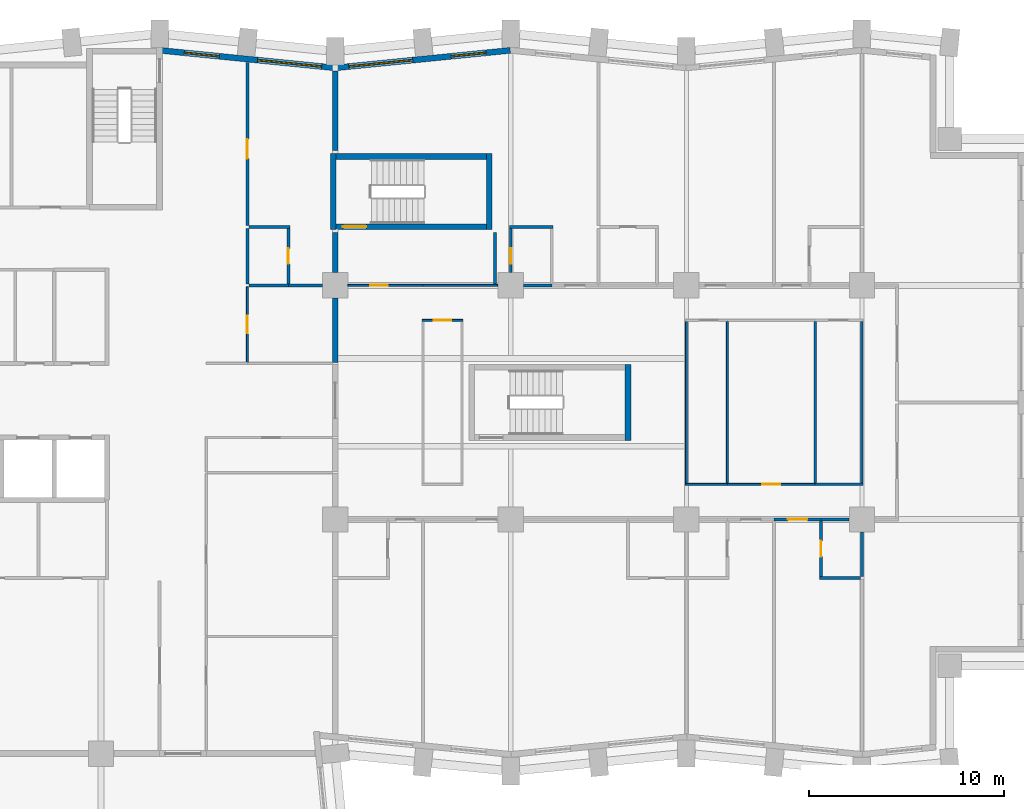
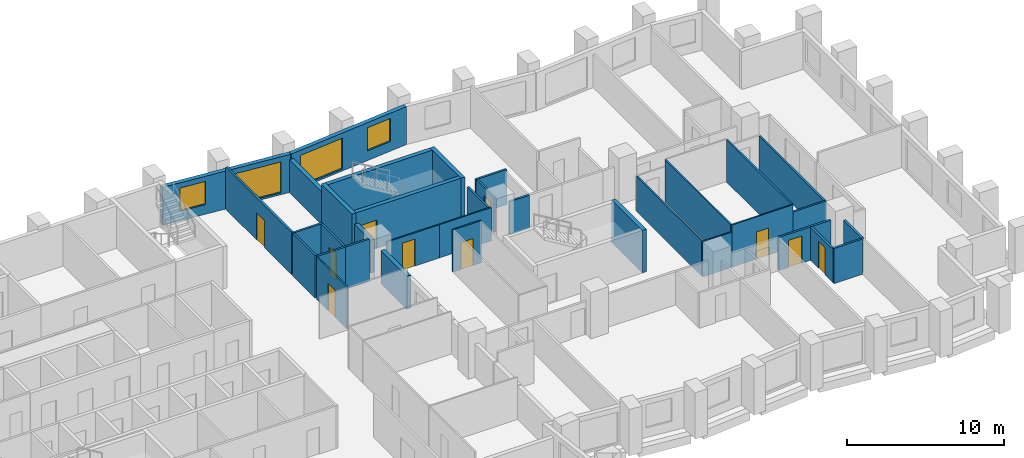
# One storey, part 8 of 12: 36 walls, 10 doors, 4 windows, 14 openings.
"""IFC4 building model written with IfcOpenShell, lengths in metres."""

from ifc_helpers import new_model, si_unit, direction, frame, frame_2d, origin, place, context, subcontext, project, spatial, rectangle, extrude, material, layer, layer_set, type_object, element, fill, save


model = new_model("IFC4")

# Units and contexts
model_context = context("Model", 3, precision=1e-05, world=origin(), true_north=direction((0.0, 1.0)))
body_context = subcontext(model_context, "Body", "Model", "MODEL_VIEW")
ifc_project = project(units=[si_unit("LENGTHUNIT", "METRE"), si_unit("AREAUNIT", "SQUARE_METRE"), si_unit("VOLUMEUNIT", "CUBIC_METRE"), si_unit("PLANEANGLEUNIT", "RADIAN"), si_unit("MASSUNIT", "GRAM", prefix="KILO")], contexts=[model_context])

# Site, building, storey
site_placement = place(None, origin())
site = spatial("IfcSite", under=ifc_project, at=site_placement, CompositionType="ELEMENT")
building_placement = place(site_placement, origin())
building = spatial("IfcBuilding", under=site, at=building_placement, Name="Brondeck Convention Tower", CompositionType="ELEMENT")
storey_placement = place(building_placement, frame((0.0, 0.0, 59.10009765625)))
storey = spatial("IfcBuildingStorey", under=building, at=storey_placement, Name="L12", CompositionType="ELEMENT", Elevation=59.10009765625)

# Walls
ifc_material_1 = material(Name="Concrete compartment wall C30/37", Category="concrete")
ifc_layer_1 = layer(ifc_material_1, 0.300048828125)
ifc_layer_set_1 = layer_set([ifc_layer_1], Name="Compartment wall 300")
wall_type_1 = type_object("IfcWallType", Name="Compartment wall 300", PredefinedType="PARTITIONING", material=ifc_layer_set_1)
wall_1_placement = place(storey_placement, frame((36.0, 50.344970703125, 0.0), z_axis=(0.0, 0.0, 1.0), x_axis=(0.0, -1.0, 0.0)))
element("IfcWall", 1, at=wall_1_placement, inside=storey, type_object=wall_type_1, Name="FLR-L12-W098", PredefinedType="PARTITIONING", context=body_context, shape_type="SweptSolid", body=[
    extrude(rectangle(XDim=3.294921875, YDim=0.300048828125, at=frame_2d((1.6474609375, 0.0))), origin(), (0.0, 0.0, 1.0), 2.579833984375),
])
wall_2_placement = place(storey_placement, frame((36.0, 53.699951171875, 0.0), z_axis=(0.0, 0.0, 1.0), x_axis=(0.0, -1.0, 0.0)))
element("IfcWall", 2, at=wall_2_placement, inside=storey, type_object=wall_type_1, Name="FLR-L12-W116", PredefinedType="PARTITIONING", context=body_context, shape_type="SweptSolid", body=[
    extrude(rectangle(XDim=2.044921875, YDim=0.300048828125, at=frame_2d((1.0224609375, 0.0))), origin(), (0.0, 0.0, 1.0), 2.579833984375),
])
wall_3_placement = place(storey_placement, frame((36.0, 61.97509765625, 0.0), z_axis=(0.0, 0.0, 1.0), x_axis=(0.0, -1.0, 0.0)))
element("IfcWall", 3, at=wall_3_placement, inside=storey, type_object=wall_type_1, Name="FLR-L12-W127", PredefinedType="PARTITIONING", context=body_context, shape_type="SweptSolid", body=[
    extrude(rectangle(XDim=4.0751953125, YDim=0.300048828125, at=frame_2d((2.03759765625, 0.0))), origin(), (0.0, 0.0, 1.0), 2.579833984375),
])

# Wall, openings, windows
ifc_material_2 = material(Name="Precast concrete C50/60 bronze finish", Category="concrete")
ifc_layer_2 = layer(ifc_material_2, 0.070068359375, Name="Bronze precast facing")
ifc_material_3 = material(Name="Mineral wool")
ifc_layer_3 = layer(ifc_material_3, 0.159912109375, Name="Insulation")
ifc_material_4 = material(Name="Concrete C35/45", Category="concrete")
ifc_layer_4 = layer(ifc_material_4, 0.070068359375, Name="Backing")
ifc_layer_set_2 = layer_set([ifc_layer_2, ifc_layer_3, ifc_layer_4], Name="External infill wall, precast concrete C50/60 bronze facing")
wall_type_2 = type_object("IfcWallType", Name="External infill wall, precast concrete C50/60 bronze facing", PredefinedType="SOLIDWALL", material=ifc_layer_set_2)
wall_4_placement = place(storey_placement, frame((35.985107421875, 62.144287109375, 0.0), z_axis=(0.0, 0.0, 1.0), x_axis=(0.995037993253, 0.099495688264, 0.0)))
wall_4 = element("IfcWall", 4, at=wall_4_placement, inside=storey, type_object=wall_type_2, Name="ENV-EW-L12-P0-A-N-09", PredefinedType="SOLIDWALL", context=body_context, shape_type="SweptSolid", body=[
    extrude(rectangle(XDim=9.030029296875, YDim=0.300048828125, at=frame_2d((4.51513671875, 0.0))), origin(), (0.0, 0.0, 1.0), 2.949951171875),
])
opening_1_placement = place(wall_4_placement, frame((0.711181640625, 0.0, 0.14990234375)))
opening_1 = element("IfcOpeningElement", 5, at=opening_1_placement, cuts=wall_4, Name="Opening W9", PredefinedType="OPENING", context=body_context, shape_type="SweptSolid", body=[
    extrude(rectangle(XDim=3.300048828125, YDim=2.39990234375, at=frame_2d((1.64990234375, 1.199951171875))), frame((0.0, 0.159912109375, 0.0), z_axis=(0.0, -1.0, 0.0), x_axis=(1.0, 0.0, 0.0)), (0.0, 0.0, 1.0), 0.320068359375),
])
opening_2_placement = place(wall_4_placement, frame((5.983642578125, 0.0, 0.75)))
opening_2 = element("IfcOpeningElement", 6, at=opening_2_placement, cuts=wall_4, Name="Opening W10", PredefinedType="OPENING", context=body_context, shape_type="SweptSolid", body=[
    extrude(rectangle(XDim=1.800048828125, YDim=1.800048828125, at=frame_2d((0.89990234375, 0.89990234375))), frame((0.0, 0.159912109375, 0.0), z_axis=(0.0, -1.0, 0.0), x_axis=(1.0, 0.0, 0.0)), (0.0, 0.0, 1.0), 0.320068359375),
])
ifc_material_5 = material(Name="Bronze tinted double glazing", Category="glass")
window_type_1 = type_object("IfcWindowType", Name="Glazed flute window, bronze tinted", PartitioningType="SINGLE_PANEL", PredefinedType="WINDOW", material=ifc_material_5)
window_1_placement = place(opening_1_placement, origin())
window_1 = element("IfcWindow", 7, at=window_1_placement, inside=storey, type_object=window_type_1, Name="ENV-WN-L12-P0-A-N-08", OverallHeight=2.39990234375, OverallWidth=3.300048828125, PartitioningType="SINGLE_PANEL", PredefinedType="WINDOW", context=body_context, shape_type="SweptSolid", body=[
    extrude(rectangle(XDim=3.300048828125, YDim=2.39990234375, at=frame_2d((1.64990234375, 1.199951171875))), frame((0.0, 0.030029296875, 0.0), z_axis=(0.0, -1.0, 0.0), x_axis=(1.0, 0.0, 0.0)), (0.0, 0.0, 1.0), 0.06005859375),
])
fill(opening_1, window_1)
window_type_2 = type_object("IfcWindowType", Name="Punched window, bronze tinted", PartitioningType="SINGLE_PANEL", PredefinedType="WINDOW", material=ifc_material_5)
window_2_placement = place(opening_2_placement, origin())
window_2 = element("IfcWindow", 8, at=window_2_placement, inside=storey, type_object=window_type_2, Name="ENV-WN-L12-P0-A-N-09", OverallHeight=1.800048828125, OverallWidth=1.800048828125, PartitioningType="SINGLE_PANEL", PredefinedType="WINDOW", context=body_context, shape_type="SweptSolid", body=[
    extrude(rectangle(XDim=1.800048828125, YDim=1.800048828125, at=frame_2d((0.89990234375, 0.89990234375))), frame((0.0, 0.030029296875, 0.0), z_axis=(0.0, -1.0, 0.0), x_axis=(1.0, 0.0, 0.0)), (0.0, 0.0, 1.0), 0.06005859375),
])
fill(opening_2, window_2)

wall_5_placement = place(storey_placement, frame((27.064697265625, 63.039306640625, 0.0), z_axis=(0.0, 0.0, 1.0), x_axis=(0.995036379926, -0.099511821531, 0.0)))
wall_5 = element("IfcWall", 9, at=wall_5_placement, inside=storey, type_object=wall_type_2, Name="ENV-EW-L12-P0-A-N-07", PredefinedType="SOLIDWALL", context=body_context, shape_type="SweptSolid", body=[
    extrude(rectangle(XDim=8.949951171875, YDim=0.300048828125, at=frame_2d((4.47509765625, 0.0))), origin(), (0.0, 0.0, 1.0), 2.949951171875),
])
opening_3_placement = place(wall_5_placement, frame((1.211181640625, 0.0, 0.75)))
opening_3 = element("IfcOpeningElement", 10, at=opening_3_placement, cuts=wall_5, Name="Opening W10", PredefinedType="OPENING", context=body_context, shape_type="SweptSolid", body=[
    extrude(rectangle(XDim=1.800048828125, YDim=1.800048828125, at=frame_2d((0.89990234375, 0.89990234375))), frame((0.0, 0.159912109375, 0.0), z_axis=(0.0, -1.0, 0.0), x_axis=(1.0, 0.0, 0.0)), (0.0, 0.0, 1.0), 0.320068359375),
])
opening_4_placement = place(wall_5_placement, frame((4.983642578125, 0.0, 0.14990234375)))
opening_4 = element("IfcOpeningElement", 11, at=opening_4_placement, cuts=wall_5, Name="Opening W9", PredefinedType="OPENING", context=body_context, shape_type="SweptSolid", body=[
    extrude(rectangle(XDim=3.300048828125, YDim=2.39990234375, at=frame_2d((1.64990234375, 1.199951171875))), frame((0.0, 0.159912109375, 0.0), z_axis=(0.0, -1.0, 0.0), x_axis=(1.0, 0.0, 0.0)), (0.0, 0.0, 1.0), 0.320068359375),
])
window_3_placement = place(opening_4_placement, origin())
window_3 = element("IfcWindow", 12, at=window_3_placement, inside=storey, type_object=window_type_1, Name="ENV-WN-L12-P0-A-N-07", OverallHeight=2.39990234375, OverallWidth=3.300048828125, PartitioningType="SINGLE_PANEL", PredefinedType="WINDOW", context=body_context, shape_type="SweptSolid", body=[
    extrude(rectangle(XDim=3.300048828125, YDim=2.39990234375, at=frame_2d((1.64990234375, 1.199951171875))), frame((0.0, 0.030029296875, 0.0), z_axis=(0.0, -1.0, 0.0), x_axis=(1.0, 0.0, 0.0)), (0.0, 0.0, 1.0), 0.06005859375),
])
fill(opening_4, window_3)
window_4_placement = place(opening_3_placement, origin())
window_4 = element("IfcWindow", 13, at=window_4_placement, inside=storey, type_object=window_type_2, Name="ENV-WN-L12-P0-A-N-06", OverallHeight=1.800048828125, OverallWidth=1.800048828125, PartitioningType="SINGLE_PANEL", PredefinedType="WINDOW", context=body_context, shape_type="SweptSolid", body=[
    extrude(rectangle(XDim=1.800048828125, YDim=1.800048828125, at=frame_2d((0.89990234375, 0.89990234375))), frame((0.0, 0.030029296875, 0.0), z_axis=(0.0, -1.0, 0.0), x_axis=(1.0, 0.0, 0.0)), (0.0, 0.0, 1.0), 0.06005859375),
])
fill(opening_3, window_4)

# Walls
ifc_material_6 = material(Name="Double gypsum board acoustic wall")
ifc_layer_5 = layer(ifc_material_6, 0.14990234375)
ifc_layer_set_3 = layer_set([ifc_layer_5], Name="Guest room party wall 150")
wall_type_3 = type_object("IfcWallType", Name="Guest room party wall 150", PredefinedType="PARTITIONING", material=ifc_layer_set_3)
wall_6_placement = place(storey_placement, frame((60.824951171875, 36.0, 0.0), z_axis=(0.0, 0.0, 1.0), x_axis=(1.0, 0.0, 0.0)))
element("IfcWall", 14, at=wall_6_placement, inside=storey, type_object=wall_type_3, Name="FLR-L12-W053", PredefinedType="PARTITIONING", context=body_context, shape_type="SweptSolid", body=[
    extrude(rectangle(XDim=2.10009765625, YDim=0.14990234375, at=frame_2d((1.050048828125, 0.0))), origin(), (0.0, 0.0, 1.0), 2.72998046875),
])
wall_7_placement = place(storey_placement, frame((63.0, 38.344970703125, 0.0), z_axis=(0.0, 0.0, 1.0), x_axis=(0.0, -1.0, 0.0)))
element("IfcWall", 15, at=wall_7_placement, inside=storey, type_object=wall_type_3, Name="FLR-L12-W058", PredefinedType="PARTITIONING", context=body_context, shape_type="SweptSolid", body=[
    extrude(rectangle(XDim=2.27001953125, YDim=0.14990234375, at=frame_2d((1.135009765625, 0.0))), origin(), (0.0, 0.0, 1.0), 2.72998046875),
])

# Wall, opening, door
wall_8_placement = place(storey_placement, frame((60.89990234375, 38.925048828125, 0.0), z_axis=(0.0, 0.0, 1.0), x_axis=(0.0, -1.0, 0.0)))
wall_8 = element("IfcWall", 16, at=wall_8_placement, inside=storey, type_object=wall_type_3, Name="FLR-L12-W062", PredefinedType="PARTITIONING", context=body_context, shape_type="SweptSolid", body=[
    extrude(rectangle(XDim=2.85009765625, YDim=0.14990234375, at=frame_2d((1.425048828125, 0.0))), origin(), (0.0, 0.0, 1.0), 2.579833984375),
])
opening_5_placement = place(wall_8_placement, frame((1.02490234375, 0.0, 0.0)))
opening_5 = element("IfcOpeningElement", 17, at=opening_5_placement, cuts=wall_8, Name="Opening H3-015", PredefinedType="OPENING", context=body_context, shape_type="SweptSolid", body=[
    extrude(rectangle(XDim=0.800048828125, YDim=2.10009765625, at=frame_2d((0.39990234375, 1.050048828125))), frame((0.0, 0.0849609375, 0.0), z_axis=(0.0, -1.0, 0.0), x_axis=(1.0, 0.0, 0.0)), (0.0, 0.0, 1.0), 0.169921875),
])
ifc_material_7 = material(Name="Solid timber door leaf", Category="wood")
door_type_1 = type_object("IfcDoorType", Name="En-suite door 800", OperationType="NOTDEFINED", PredefinedType="DOOR", material=ifc_material_7)
door_1_placement = place(opening_5_placement, origin())
door_1 = element("IfcDoor", 18, at=door_1_placement, inside=storey, type_object=door_type_1, Name="Door H3-015", OperationType="SINGLE_SWING_LEFT", OverallHeight=2.10009765625, OverallWidth=0.800048828125, PredefinedType="DOOR", context=body_context, shape_type="SweptSolid", body=[
    extrude(rectangle(XDim=0.800048828125, YDim=2.10009765625, at=frame_2d((0.39990234375, 1.050048828125))), frame((0.0, 0.02490234375, 0.0), z_axis=(0.0, -1.0, 0.0), x_axis=(1.0, 0.0, 0.0)), (0.0, 0.0, 1.0), 0.050048828125),
])
fill(opening_5, door_1)

wall_9_placement = place(storey_placement, frame((60.89990234375, 39.0, 0.0), z_axis=(0.0, 0.0, 1.0), x_axis=(-1.0, 0.0, 0.0)))
wall_9 = element("IfcWall", 19, at=wall_9_placement, inside=storey, type_object=wall_type_3, Name="FLR-L12-W070", PredefinedType="PARTITIONING", context=body_context, shape_type="SweptSolid", body=[
    extrude(rectangle(XDim=2.39990234375, YDim=0.14990234375, at=frame_2d((1.199951171875, 0.0))), origin(), (0.0, 0.0, 1.0), 2.579833984375),
])
opening_6_placement = place(wall_9_placement, frame((0.699951171875, 0.0, 0.0)))
opening_6 = element("IfcOpeningElement", 20, at=opening_6_placement, cuts=wall_9, Name="Opening H3-014", PredefinedType="OPENING", context=body_context, shape_type="SweptSolid", body=[
    extrude(rectangle(XDim=1.0, YDim=2.10009765625, at=frame_2d((0.5, 1.050048828125))), frame((0.0, 0.0849609375, 0.0), z_axis=(0.0, -1.0, 0.0), x_axis=(1.0, 0.0, 0.0)), (0.0, 0.0, 1.0), 0.169921875),
])
ifc_material_8 = material(Name="Solid timber fire door leaf", Category="wood")
door_type_2 = type_object("IfcDoorType", Name="Guest room door 1000", OperationType="NOTDEFINED", PredefinedType="DOOR", material=ifc_material_8)
door_2_placement = place(opening_6_placement, origin())
door_2 = element("IfcDoor", 21, at=door_2_placement, inside=storey, type_object=door_type_2, Name="Door H3-014", OperationType="SINGLE_SWING_LEFT", OverallHeight=2.10009765625, OverallWidth=1.0, PredefinedType="DOOR", context=body_context, shape_type="SweptSolid", body=[
    extrude(rectangle(XDim=1.0, YDim=2.10009765625, at=frame_2d((0.5, 1.050048828125))), frame((0.0, 0.02490234375, 0.0), z_axis=(0.0, -1.0, 0.0), x_axis=(1.0, 0.0, 0.0)), (0.0, 0.0, 1.0), 0.050048828125),
])
fill(opening_6, door_2)

# Walls
wall_10_placement = place(storey_placement, frame((62.344970703125, 39.0, 0.0), z_axis=(0.0, 0.0, 1.0), x_axis=(-1.0, 0.0, 0.0)))
element("IfcWall", 22, at=wall_10_placement, inside=storey, type_object=wall_type_3, Name="FLR-L12-W071", PredefinedType="PARTITIONING", context=body_context, shape_type="SweptSolid", body=[
    extrude(rectangle(XDim=1.445068359375, YDim=0.14990234375, at=frame_2d((0.72265625, 0.0))), origin(), (0.0, 0.0, 1.0), 2.579833984375),
])
wall_11_placement = place(storey_placement, frame((31.574951171875, 51.0, 0.0), z_axis=(0.0, 0.0, 1.0), x_axis=(1.0, 0.0, 0.0)))
element("IfcWall", 23, at=wall_11_placement, inside=storey, type_object=wall_type_3, Name="FLR-L12-W101", PredefinedType="PARTITIONING", context=body_context, shape_type="SweptSolid", body=[
    extrude(rectangle(XDim=2.025146484375, YDim=0.14990234375, at=frame_2d((1.0126953125, 0.0))), origin(), (0.0, 0.0, 1.0), 3.27978515625),
])
wall_12_placement = place(storey_placement, frame((33.60009765625, 51.0, 0.0), z_axis=(0.0, 0.0, 1.0), x_axis=(1.0, 0.0, 0.0)))
element("IfcWall", 24, at=wall_12_placement, inside=storey, type_object=wall_type_3, Name="FLR-L12-W102", PredefinedType="PARTITIONING", context=body_context, shape_type="SweptSolid", body=[
    extrude(rectangle(XDim=1.744873046875, YDim=0.14990234375, at=frame_2d((0.87255859375, 0.0))), origin(), (0.0, 0.0, 1.0), 3.27978515625),
])
wall_13_placement = place(storey_placement, frame((45.655029296875, 51.0, 0.0), z_axis=(0.0, 0.0, 1.0), x_axis=(1.0, 0.0, 0.0)))
element("IfcWall", 25, at=wall_13_placement, inside=storey, type_object=wall_type_3, Name="FLR-L12-W105", PredefinedType="PARTITIONING", context=body_context, shape_type="SweptSolid", body=[
    extrude(rectangle(XDim=1.445068359375, YDim=0.14990234375, at=frame_2d((0.72265625, 0.0))), origin(), (0.0, 0.0, 1.0), 2.579833984375),
])

# Wall, opening, door
wall_14_placement = place(storey_placement, frame((33.60009765625, 51.074951171875, 0.0), z_axis=(0.0, 0.0, 1.0), x_axis=(0.0, 1.0, 0.0)))
wall_14 = element("IfcWall", 26, at=wall_14_placement, inside=storey, type_object=wall_type_3, Name="FLR-L12-W113", PredefinedType="PARTITIONING", context=body_context, shape_type="SweptSolid", body=[
    extrude(rectangle(XDim=2.85009765625, YDim=0.14990234375, at=frame_2d((1.425048828125, 0.0))), origin(), (0.0, 0.0, 1.0), 3.27978515625),
])
opening_7_placement = place(wall_14_placement, frame((1.02490234375, 0.0, 0.0)))
opening_7 = element("IfcOpeningElement", 27, at=opening_7_placement, cuts=wall_14, Name="Opening H3-034", PredefinedType="OPENING", context=body_context, shape_type="SweptSolid", body=[
    extrude(rectangle(XDim=0.800048828125, YDim=2.10009765625, at=frame_2d((0.39990234375, 1.050048828125))), frame((0.0, 0.0849609375, 0.0), z_axis=(0.0, -1.0, 0.0), x_axis=(1.0, 0.0, 0.0)), (0.0, 0.0, 1.0), 0.169921875),
])
door_3_placement = place(opening_7_placement, origin())
door_3 = element("IfcDoor", 28, at=door_3_placement, inside=storey, type_object=door_type_1, Name="Door H3-034", OperationType="SINGLE_SWING_LEFT", OverallHeight=2.10009765625, OverallWidth=0.800048828125, PredefinedType="DOOR", context=body_context, shape_type="SweptSolid", body=[
    extrude(rectangle(XDim=0.800048828125, YDim=2.10009765625, at=frame_2d((0.39990234375, 1.050048828125))), frame((0.0, 0.02490234375, 0.0), z_axis=(0.0, -1.0, 0.0), x_axis=(1.0, 0.0, 0.0)), (0.0, 0.0, 1.0), 0.050048828125),
])
fill(opening_7, door_3)

# Walls
wall_15_placement = place(storey_placement, frame((44.199951171875, 53.699951171875, 0.0), z_axis=(0.0, 0.0, 1.0), x_axis=(0.0, -1.0, 0.0)))
element("IfcWall", 29, at=wall_15_placement, inside=storey, type_object=wall_type_3, Name="FLR-L12-W117", PredefinedType="PARTITIONING", context=body_context, shape_type="SweptSolid", body=[
    extrude(rectangle(XDim=2.625, YDim=0.14990234375, at=frame_2d((1.3125, 0.0))), origin(), (0.0, 0.0, 1.0), 2.579833984375),
])
wall_16_placement = place(storey_placement, frame((31.5, 53.925048828125, 0.0), z_axis=(0.0, 0.0, 1.0), x_axis=(0.0, -1.0, 0.0)))
element("IfcWall", 30, at=wall_16_placement, inside=storey, type_object=wall_type_3, Name="FLR-L12-W118", PredefinedType="PARTITIONING", context=body_context, shape_type="SweptSolid", body=[
    extrude(rectangle(XDim=2.85009765625, YDim=0.14990234375, at=frame_2d((1.425048828125, 0.0))), origin(), (0.0, 0.0, 1.0), 3.27978515625),
])

# Wall, opening, door
wall_17_placement = place(storey_placement, frame((45.0, 53.925048828125, 0.0), z_axis=(0.0, 0.0, 1.0), x_axis=(0.0, -1.0, 0.0)))
wall_17 = element("IfcWall", 31, at=wall_17_placement, inside=storey, type_object=wall_type_3, Name="FLR-L12-W119", PredefinedType="PARTITIONING", context=body_context, shape_type="SweptSolid", body=[
    extrude(rectangle(XDim=2.27001953125, YDim=0.14990234375, at=frame_2d((1.135009765625, 0.0))), origin(), (0.0, 0.0, 1.0), 2.72998046875),
])
opening_8_placement = place(wall_17_placement, frame((1.02490234375, 0.0, 0.0)))
opening_8 = element("IfcOpeningElement", 32, at=opening_8_placement, cuts=wall_17, Name="Opening H3-003", PredefinedType="OPENING", context=body_context, shape_type="SweptSolid", body=[
    extrude(rectangle(XDim=0.800048828125, YDim=2.10009765625, at=frame_2d((0.39990234375, 1.050048828125))), frame((0.0, 0.0849609375, 0.0), z_axis=(0.0, -1.0, 0.0), x_axis=(1.0, 0.0, 0.0)), (0.0, 0.0, 1.0), 0.169921875),
])
door_4_placement = place(opening_8_placement, origin())
door_4 = element("IfcDoor", 33, at=door_4_placement, inside=storey, type_object=door_type_1, Name="Door H3-003", OperationType="SINGLE_SWING_RIGHT", OverallHeight=2.10009765625, OverallWidth=0.800048828125, PredefinedType="DOOR", context=body_context, shape_type="SweptSolid", body=[
    extrude(rectangle(XDim=0.800048828125, YDim=2.10009765625, at=frame_2d((0.39990234375, 1.050048828125))), frame((0.0, 0.02490234375, 0.0), z_axis=(0.0, -1.0, 0.0), x_axis=(1.0, 0.0, 0.0)), (0.0, 0.0, 1.0), 0.050048828125),
])
fill(opening_8, door_4)

# Walls
wall_18_placement = place(storey_placement, frame((33.675048828125, 54.0, 0.0), z_axis=(0.0, 0.0, 1.0), x_axis=(-1.0, 0.0, 0.0)))
element("IfcWall", 34, at=wall_18_placement, inside=storey, type_object=wall_type_3, Name="FLR-L12-W123", PredefinedType="PARTITIONING", context=body_context, shape_type="SweptSolid", body=[
    extrude(rectangle(XDim=2.10009765625, YDim=0.14990234375, at=frame_2d((1.050048828125, 0.0))), origin(), (0.0, 0.0, 1.0), 3.27978515625),
])
wall_19_placement = place(storey_placement, frame((47.175048828125, 54.0, 0.0), z_axis=(0.0, 0.0, 1.0), x_axis=(-1.0, 0.0, 0.0)))
element("IfcWall", 35, at=wall_19_placement, inside=storey, type_object=wall_type_3, Name="FLR-L12-W124", PredefinedType="PARTITIONING", context=body_context, shape_type="SweptSolid", body=[
    extrude(rectangle(XDim=2.25, YDim=0.14990234375, at=frame_2d((1.125, 0.0))), origin(), (0.0, 0.0, 1.0), 2.72998046875),
])

# Wall, opening, door
wall_20_placement = place(storey_placement, frame((31.5, 62.425048828125, 0.0), z_axis=(0.0, 0.0, 1.0), x_axis=(0.0, -1.0, 0.0)))
wall_20 = element("IfcWall", 36, at=wall_20_placement, inside=storey, type_object=wall_type_3, Name="FLR-L12-W128", PredefinedType="PARTITIONING", context=body_context, shape_type="SweptSolid", body=[
    extrude(rectangle(XDim=8.35009765625, YDim=0.14990234375, at=frame_2d((4.175048828125, 0.0))), origin(), (0.0, 0.0, 1.0), 3.27978515625),
])
opening_9_placement = place(wall_20_placement, frame((3.925048828125, 0.0, 0.0)))
opening_9 = element("IfcOpeningElement", 37, at=opening_9_placement, cuts=wall_20, Name="Opening H3-033", PredefinedType="OPENING", context=body_context, shape_type="SweptSolid", body=[
    extrude(rectangle(XDim=1.0, YDim=2.10009765625, at=frame_2d((0.5, 1.050048828125))), frame((0.0, 0.0849609375, 0.0), z_axis=(0.0, -1.0, 0.0), x_axis=(1.0, 0.0, 0.0)), (0.0, 0.0, 1.0), 0.169921875),
])
door_5_placement = place(opening_9_placement, origin())
door_5 = element("IfcDoor", 38, at=door_5_placement, inside=storey, type_object=door_type_2, Name="Door H3-033", OperationType="SINGLE_SWING_LEFT", OverallHeight=2.10009765625, OverallWidth=1.0, PredefinedType="DOOR", context=body_context, shape_type="SweptSolid", body=[
    extrude(rectangle(XDim=1.0, YDim=2.10009765625, at=frame_2d((0.5, 1.050048828125))), frame((0.0, 0.02490234375, 0.0), z_axis=(0.0, -1.0, 0.0), x_axis=(1.0, 0.0, 0.0)), (0.0, 0.0, 1.0), 0.050048828125),
])
fill(opening_9, door_5)

# Walls
ifc_material_9 = material(Name="Gypsum board shaft wall on steel studs", Category="steel")
ifc_layer_6 = layer(ifc_material_9, 0.125)
ifc_layer_set_4 = layer_set([ifc_layer_6], Name="Riser wall 125")
wall_type_4 = type_object("IfcWallType", Name="Riser wall 125", PredefinedType="PARTITIONING", material=ifc_layer_set_4)
wall_21_placement = place(storey_placement, frame((60.60009765625, 40.800048828125, 0.0), z_axis=(0.0, 0.0, 1.0), x_axis=(1.0, 0.0, 0.0)))
element("IfcWall", 39, at=wall_21_placement, inside=storey, type_object=wall_type_4, Name="FLR-L12-W076", PredefinedType="PARTITIONING", context=body_context, shape_type="SweptSolid", body=[
    extrude(rectangle(XDim=2.46240234375, YDim=0.125, at=frame_2d((1.231201171875, 0.0))), origin(), (0.0, 0.0, 1.0), 2.72998046875),
])
wall_22_placement = place(storey_placement, frame((63.0, 40.862548828125, 0.0), z_axis=(0.0, 0.0, 1.0), x_axis=(0.0, 1.0, 0.0)))
element("IfcWall", 40, at=wall_22_placement, inside=storey, type_object=wall_type_4, Name="FLR-L12-W077", PredefinedType="PARTITIONING", context=body_context, shape_type="SweptSolid", body=[
    extrude(rectangle(XDim=8.27490234375, YDim=0.125, at=frame_2d((4.137451171875, 0.0))), origin(), (0.0, 0.0, 1.0), 2.72998046875),
])
wall_23_placement = place(storey_placement, frame((60.60009765625, 49.137451171875, 0.0), z_axis=(0.0, 0.0, 1.0), x_axis=(0.0, -1.0, 0.0)))
element("IfcWall", 41, at=wall_23_placement, inside=storey, type_object=wall_type_4, Name="FLR-L12-W089", PredefinedType="PARTITIONING", context=body_context, shape_type="SweptSolid", body=[
    extrude(rectangle(XDim=8.27490234375, YDim=0.125, at=frame_2d((4.137451171875, 0.0))), origin(), (0.0, 0.0, 1.0), 3.27978515625),
])
ifc_material_10 = material(Name="Gypsum board partition on steel studs", Category="steel")
ifc_layer_7 = layer(ifc_material_10, 0.10009765625)
ifc_layer_set_5 = layer_set([ifc_layer_7], Name="Room partition 100")
wall_type_5 = type_object("IfcWallType", Name="Room partition 100", PredefinedType="PARTITIONING", material=ifc_layer_set_5)
wall_24_placement = place(storey_placement, frame((53.949951171875, 40.800048828125, 0.0), z_axis=(0.0, 0.0, 1.0), x_axis=(1.0, 0.0, 0.0)))
element("IfcWall", 42, at=wall_24_placement, inside=storey, type_object=wall_type_5, Name="FLR-L12-W074", PredefinedType="PARTITIONING", context=body_context, shape_type="SweptSolid", body=[
    extrude(rectangle(XDim=2.150146484375, YDim=0.10009765625, at=frame_2d((1.0751953125, 0.0))), origin(), (0.0, 0.0, 1.0), 2.72998046875),
])

# Wall, opening, door
wall_25_placement = place(storey_placement, frame((56.10009765625, 40.800048828125, 0.0), z_axis=(0.0, 0.0, 1.0), x_axis=(1.0, 0.0, 0.0)))
wall_25 = element("IfcWall", 43, at=wall_25_placement, inside=storey, type_object=wall_type_5, Name="FLR-L12-W075", PredefinedType="PARTITIONING", context=body_context, shape_type="SweptSolid", body=[
    extrude(rectangle(XDim=4.5, YDim=0.10009765625, at=frame_2d((2.25, 0.0))), origin(), (0.0, 0.0, 1.0), 3.27978515625),
])
opening_10_placement = place(wall_25_placement, frame((1.800048828125, 0.0, 0.0)))
opening_10 = element("IfcOpeningElement", 44, at=opening_10_placement, cuts=wall_25, Name="Opening H3-018", PredefinedType="OPENING", context=body_context, shape_type="SweptSolid", body=[
    extrude(rectangle(XDim=0.89990234375, YDim=2.10009765625, at=frame_2d((0.449951171875, 1.050048828125))), frame((0.0, 0.06005859375, 0.0), z_axis=(0.0, -1.0, 0.0), x_axis=(1.0, 0.0, 0.0)), (0.0, 0.0, 1.0), 0.1201171875),
])
door_type_3 = type_object("IfcDoorType", Name="Single door 900", OperationType="NOTDEFINED", PredefinedType="DOOR", material=ifc_material_7)
door_6_placement = place(opening_10_placement, origin())
door_6 = element("IfcDoor", 45, at=door_6_placement, inside=storey, type_object=door_type_3, Name="Door H3-018", OperationType="SINGLE_SWING_LEFT", OverallHeight=2.10009765625, OverallWidth=0.89990234375, PredefinedType="DOOR", context=body_context, shape_type="SweptSolid", body=[
    extrude(rectangle(XDim=0.89990234375, YDim=2.10009765625, at=frame_2d((0.449951171875, 1.050048828125))), frame((0.0, 0.02490234375, 0.0), z_axis=(0.0, -1.0, 0.0), x_axis=(1.0, 0.0, 0.0)), (0.0, 0.0, 1.0), 0.050048828125),
])
fill(opening_10, door_6)

# Walls
wall_26_placement = place(storey_placement, frame((54.0, 49.14990234375, 0.0), z_axis=(0.0, 0.0, 1.0), x_axis=(0.0, -1.0, 0.0)))
element("IfcWall", 46, at=wall_26_placement, inside=storey, type_object=wall_type_5, Name="FLR-L12-W092", PredefinedType="PARTITIONING", context=body_context, shape_type="SweptSolid", body=[
    extrude(rectangle(XDim=8.2998046875, YDim=0.10009765625, at=frame_2d((4.14990234375, 0.0))), origin(), (0.0, 0.0, 1.0), 2.72998046875),
])
wall_27_placement = place(storey_placement, frame((56.10009765625, 49.14990234375, 0.0), z_axis=(0.0, 0.0, 1.0), x_axis=(0.0, -1.0, 0.0)))
element("IfcWall", 47, at=wall_27_placement, inside=storey, type_object=wall_type_5, Name="FLR-L12-W093", PredefinedType="PARTITIONING", context=body_context, shape_type="SweptSolid", body=[
    extrude(rectangle(XDim=8.2998046875, YDim=0.10009765625, at=frame_2d((4.14990234375, 0.0))), origin(), (0.0, 0.0, 1.0), 3.27978515625),
])

# Wall, opening, door
wall_28_placement = place(storey_placement, frame((42.550048828125, 49.199951171875, 0.0), z_axis=(0.0, 0.0, 1.0), x_axis=(-1.0, 0.0, 0.0)))
wall_28 = element("IfcWall", 48, at=wall_28_placement, inside=storey, type_object=wall_type_5, Name="FLR-L12-W094", PredefinedType="PARTITIONING", context=body_context, shape_type="SweptSolid", body=[
    extrude(rectangle(XDim=2.10009765625, YDim=0.10009765625, at=frame_2d((1.050048828125, 0.0))), origin(), (0.0, 0.0, 1.0), 3.27978515625),
])
opening_11_placement = place(wall_28_placement, frame((0.60009765625, 0.0, 0.0)))
opening_11 = element("IfcOpeningElement", 49, at=opening_11_placement, cuts=wall_28, Name="Opening H3-016", PredefinedType="OPENING", context=body_context, shape_type="SweptSolid", body=[
    extrude(rectangle(XDim=0.89990234375, YDim=2.10009765625, at=frame_2d((0.449951171875, 1.050048828125))), frame((0.0, 0.06005859375, 0.0), z_axis=(0.0, -1.0, 0.0), x_axis=(1.0, 0.0, 0.0)), (0.0, 0.0, 1.0), 0.1201171875),
])
door_7_placement = place(opening_11_placement, origin())
door_7 = element("IfcDoor", 50, at=door_7_placement, inside=storey, type_object=door_type_3, Name="Door H3-016", OperationType="SINGLE_SWING_LEFT", OverallHeight=2.10009765625, OverallWidth=0.89990234375, PredefinedType="DOOR", context=body_context, shape_type="SweptSolid", body=[
    extrude(rectangle(XDim=0.89990234375, YDim=2.10009765625, at=frame_2d((0.449951171875, 1.050048828125))), frame((0.0, 0.02490234375, 0.0), z_axis=(0.0, -1.0, 0.0), x_axis=(1.0, 0.0, 0.0)), (0.0, 0.0, 1.0), 0.050048828125),
])
fill(opening_11, door_7)

wall_29_placement = place(storey_placement, frame((31.5, 50.925048828125, 0.0), z_axis=(0.0, 0.0, 1.0), x_axis=(0.0, -1.0, 0.0)))
wall_29 = element("IfcWall", 51, at=wall_29_placement, inside=storey, type_object=wall_type_5, Name="FLR-L12-W099", PredefinedType="PARTITIONING", context=body_context, shape_type="SweptSolid", body=[
    extrude(rectangle(XDim=3.875, YDim=0.10009765625, at=frame_2d((1.9375, 0.0))), origin(), (0.0, 0.0, 1.0), 3.27978515625),
])
opening_12_placement = place(wall_29_placement, frame((1.47509765625, 0.0, 0.0)))
opening_12 = element("IfcOpeningElement", 52, at=opening_12_placement, cuts=wall_29, Name="Opening H3-035", PredefinedType="OPENING", context=body_context, shape_type="SweptSolid", body=[
    extrude(rectangle(XDim=0.89990234375, YDim=2.10009765625, at=frame_2d((0.449951171875, 1.050048828125))), frame((0.0, 0.06005859375, 0.0), z_axis=(0.0, -1.0, 0.0), x_axis=(1.0, 0.0, 0.0)), (0.0, 0.0, 1.0), 0.1201171875),
])
door_8_placement = place(opening_12_placement, origin())
door_8 = element("IfcDoor", 53, at=door_8_placement, inside=storey, type_object=door_type_3, Name="Door H3-035", OperationType="SINGLE_SWING_LEFT", OverallHeight=2.10009765625, OverallWidth=0.89990234375, PredefinedType="DOOR", context=body_context, shape_type="SweptSolid", body=[
    extrude(rectangle(XDim=0.89990234375, YDim=2.10009765625, at=frame_2d((0.449951171875, 1.050048828125))), frame((0.0, 0.02490234375, 0.0), z_axis=(0.0, -1.0, 0.0), x_axis=(1.0, 0.0, 0.0)), (0.0, 0.0, 1.0), 0.050048828125),
])
fill(opening_12, door_8)

wall_30_placement = place(storey_placement, frame((40.5, 51.0, 0.0), z_axis=(0.0, 0.0, 1.0), x_axis=(-1.0, 0.0, 0.0)))
wall_30 = element("IfcWall", 54, at=wall_30_placement, inside=storey, type_object=wall_type_5, Name="FLR-L12-W103", PredefinedType="PARTITIONING", context=body_context, shape_type="SweptSolid", body=[
    extrude(rectangle(XDim=3.844970703125, YDim=0.10009765625, at=frame_2d((1.92236328125, 0.0))), origin(), (0.0, 0.0, 1.0), 2.579833984375),
])
opening_13_placement = place(wall_30_placement, frame((1.800048828125, 0.0, 0.0)))
opening_13 = element("IfcOpeningElement", 55, at=opening_13_placement, cuts=wall_30, Name="Opening H3-001", PredefinedType="OPENING", context=body_context, shape_type="SweptSolid", body=[
    extrude(rectangle(XDim=0.89990234375, YDim=2.10009765625, at=frame_2d((0.449951171875, 1.050048828125))), frame((0.0, 0.06005859375, 0.0), z_axis=(0.0, -1.0, 0.0), x_axis=(1.0, 0.0, 0.0)), (0.0, 0.0, 1.0), 0.1201171875),
])
door_9_placement = place(opening_13_placement, origin())
door_9 = element("IfcDoor", 56, at=door_9_placement, inside=storey, type_object=door_type_3, Name="Door H3-001", OperationType="SINGLE_SWING_LEFT", OverallHeight=2.10009765625, OverallWidth=0.89990234375, PredefinedType="DOOR", context=body_context, shape_type="SweptSolid", body=[
    extrude(rectangle(XDim=0.89990234375, YDim=2.10009765625, at=frame_2d((0.449951171875, 1.050048828125))), frame((0.0, 0.02490234375, 0.0), z_axis=(0.0, -1.0, 0.0), x_axis=(1.0, 0.0, 0.0)), (0.0, 0.0, 1.0), 0.050048828125),
])
fill(opening_13, door_9)

# Wall
wall_31_placement = place(storey_placement, frame((44.330078125, 51.0, 0.0), z_axis=(0.0, 0.0, 1.0), x_axis=(-1.0, 0.0, 0.0)))
element("IfcWall", 57, at=wall_31_placement, inside=storey, type_object=wall_type_5, Name="FLR-L12-W104", PredefinedType="PARTITIONING", context=body_context, shape_type="SweptSolid", body=[
    extrude(rectangle(XDim=3.830078125, YDim=0.10009765625, at=frame_2d((1.9150390625, 0.0))), origin(), (0.0, 0.0, 1.0), 2.579833984375),
])

# Wall, opening, door
ifc_material_11 = material(Name="Concrete C80/95", Category="concrete")
ifc_layer_8 = layer(ifc_material_11, 0.300048828125)
ifc_layer_set_6 = layer_set([ifc_layer_8], Name="Stair enclosure wall 300 Concrete C80/95")
wall_type_6 = type_object("IfcWallType", Name="Stair enclosure wall 300 Concrete C80/95", PredefinedType="SHEAR", material=ifc_layer_set_6)
wall_32_placement = place(storey_placement, frame((36.050048828125, 54.0, 0.0), z_axis=(0.0, 0.0, 1.0), x_axis=(1.0, 0.0, 0.0)))
wall_32 = element("IfcWall", 58, at=wall_32_placement, inside=storey, type_object=wall_type_6, Name="L12 core wall", PredefinedType="SHEAR", context=body_context, shape_type="SweptSolid", body=[
    extrude(rectangle(XDim=7.699951171875, YDim=0.300048828125, at=frame_2d((3.85009765625, 0.0))), origin(), (0.0, 0.0, 1.0), 3.2998046875),
])
opening_14_placement = place(wall_32_placement, frame((0.35009765625, 0.0, 0.0)))
opening_14 = element("IfcOpeningElement", 59, at=opening_14_placement, cuts=wall_32, Name="Opening C10-18", PredefinedType="OPENING", context=body_context, shape_type="SweptSolid", body=[
    extrude(rectangle(XDim=1.199951171875, YDim=2.199951171875, at=frame_2d((0.60009765625, 1.10009765625))), frame((0.0, 0.159912109375, 0.0), z_axis=(0.0, -1.0, 0.0), x_axis=(1.0, 0.0, 0.0)), (0.0, 0.0, 1.0), 0.320068359375),
])
ifc_material_12 = material(Name="Steel fire door", Category="steel")
door_type_4 = type_object("IfcDoorType", Name="Stair door 1200x2200 EI 90", OperationType="NOTDEFINED", PredefinedType="DOOR", material=ifc_material_12)
door_10_placement = place(opening_14_placement, origin())
door_10 = element("IfcDoor", 60, at=door_10_placement, inside=storey, type_object=door_type_4, Name="L12 Stair door ST-AE", OperationType="SINGLE_SWING_LEFT", OverallHeight=2.199951171875, OverallWidth=1.199951171875, PredefinedType="DOOR", context=body_context, shape_type="SweptSolid", body=[
    extrude(rectangle(XDim=1.199951171875, YDim=2.199951171875, at=frame_2d((0.60009765625, 1.10009765625))), frame((0.0, 0.02490234375, 0.0), z_axis=(0.0, -1.0, 0.0), x_axis=(1.0, 0.0, 0.0)), (0.0, 0.0, 1.0), 0.050048828125),
])
fill(opening_14, door_10)

# Walls
wall_33_placement = place(storey_placement, frame((36.050048828125, 57.60009765625, 0.0), z_axis=(0.0, 0.0, 1.0), x_axis=(1.0, 0.0, 0.0)))
element("IfcWall", 61, at=wall_33_placement, inside=storey, type_object=wall_type_6, Name="L12 core wall", PredefinedType="SHEAR", context=body_context, shape_type="SweptSolid", body=[
    extrude(rectangle(XDim=7.699951171875, YDim=0.300048828125, at=frame_2d((3.85009765625, 0.0))), origin(), (0.0, 0.0, 1.0), 3.2998046875),
])
for number, where, z_axis, x_axis, name in (
    (62, (35.89990234375, 53.85009765625, 0.0), (0.0, 0.0, 1.0), (0.0, 1.0, 0.0), "L12 core wall"),
    (63, (43.89990234375, 53.85009765625, 0.0), (0.0, 0.0, 1.0), (0.0, 1.0, 0.0), "L12 core wall"),
    (64, (51.0, 43.050048828125, 0.0), (0.0, 0.0, 1.0), (0.0, 1.0, 0.0), "L12 core wall"),
):
    element("IfcWall", number, at=place(storey_placement, frame(where, z_axis=z_axis, x_axis=x_axis)), inside=storey, type_object=wall_type_6, Name=name, PredefinedType="SHEAR", context=body_context, shape_type="SweptSolid", body=[
        extrude(rectangle(XDim=3.89990234375, YDim=0.300048828125, at=frame_2d((1.949951171875, 0.0))), origin(), (0.0, 0.0, 1.0), 3.2998046875),
    ])

save(model, "model.ifc")
